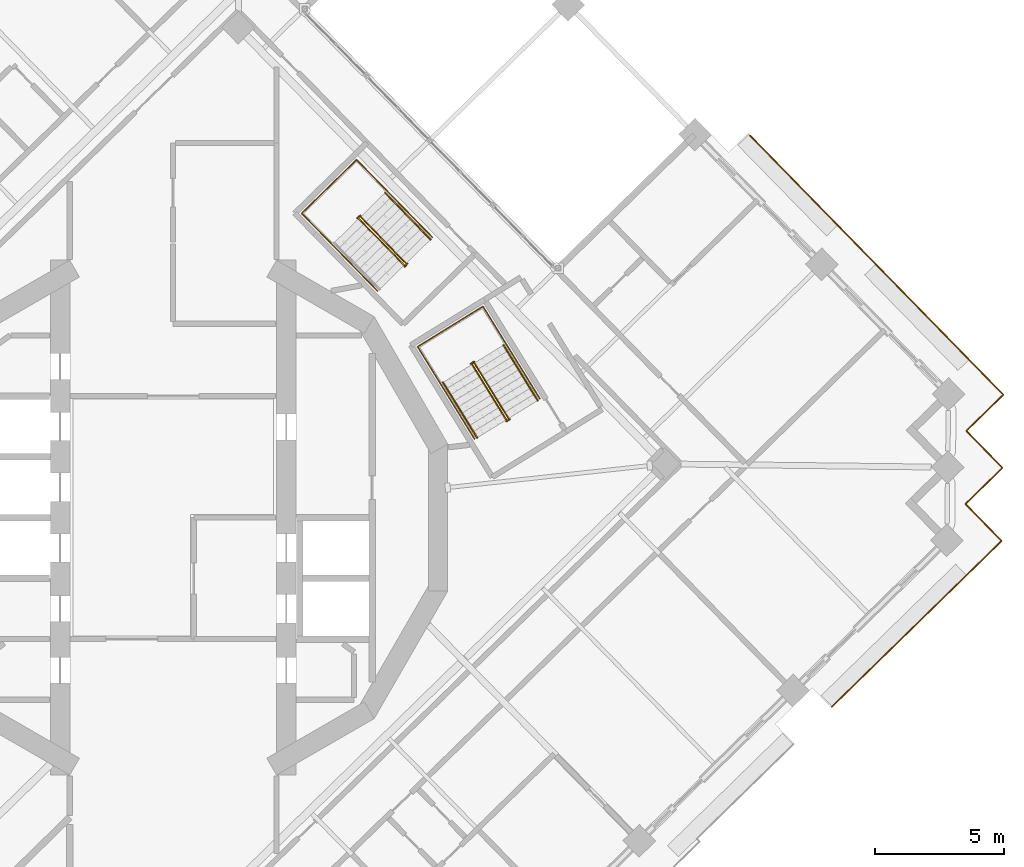
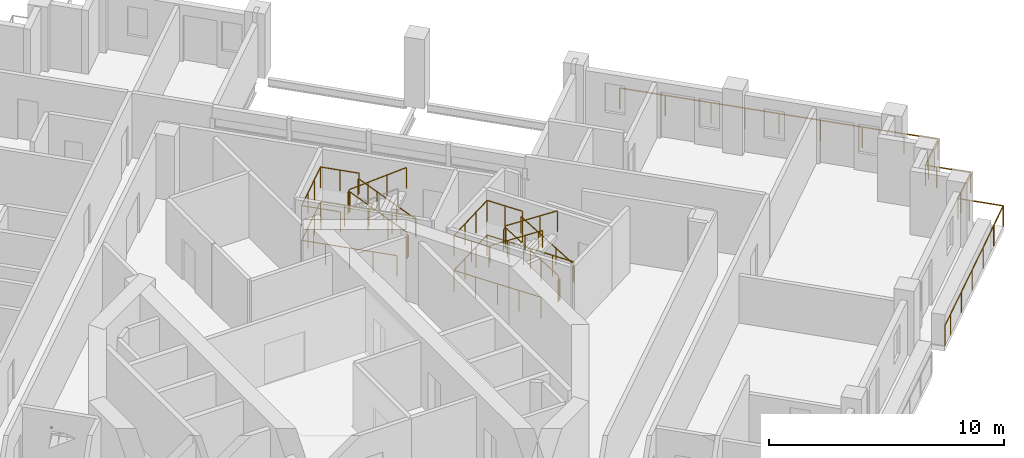
# One storey, part 18 of 20: 14 railings.
"""IFC4 building model written with IfcOpenShell, lengths in metres."""

from ifc_helpers import new_model, si_unit, direction, frame, origin, origin_2d, place, context, subcontext, project, spatial, circle, extrude, material, type_object, element, save


model = new_model("IFC4")

# Units and contexts
model_context = context("Model", 3, precision=1e-05, world=origin(), true_north=direction((0.0, 1.0)))
body_context = subcontext(model_context, "Body", "Model", "MODEL_VIEW")
ifc_project = project(units=[si_unit("LENGTHUNIT", "METRE"), si_unit("AREAUNIT", "SQUARE_METRE"), si_unit("VOLUMEUNIT", "CUBIC_METRE"), si_unit("PLANEANGLEUNIT", "RADIAN"), si_unit("MASSUNIT", "GRAM", prefix="KILO")], contexts=[model_context])

# Site, building, storey
site_placement = place(None, origin())
site = spatial("IfcSite", under=ifc_project, at=site_placement, CompositionType="ELEMENT")
building_placement = place(site_placement, origin())
building = spatial("IfcBuilding", under=site, at=building_placement, Name="Cantera Rosa Tower", CompositionType="ELEMENT")
storey_placement = place(building_placement, frame((0.0, 0.0, 212.60009765625)))
storey = spatial("IfcBuildingStorey", under=building, at=storey_placement, Name="L45", CompositionType="ELEMENT", Elevation=212.60009765625)

# Railings
ifc_material_1 = material(Name="Stainless steel and laminated glass", Category="steel")
railing_type_1 = type_object("IfcRailingType", Name="GUARD 1100", PredefinedType="BALUSTRADE", material=ifc_material_1)
railing_1_placement = place(storey_placement, frame((22.313232421875, 14.795654296875, 0.0)))
element("IfcRailing", 1, at=railing_1_placement, inside=storey, type_object=railing_type_1, Name="GUARD L45-12", PredefinedType="BALUSTRADE", context=body_context, shape_type="SweptSolid", body=[
    extrude(circle(Radius=0.030029296875, at=origin_2d()), frame((0.0, 0.0, 1.070068359375), z_axis=(0.698829866575, -0.715287926351, 0.0), x_axis=(0.715287926351, 0.698829866575, 0.0)), (0.0, 0.0, 1.0), 4.02001953125),
    extrude(circle(Radius=0.030029296875, at=origin_2d()), frame((2.809326171875, -2.87548828125, 1.070068359375), z_axis=(0.698839281014, -0.715278728407, 0.0), x_axis=(0.715278728407, 0.698839281014, 0.0)), (0.0, 0.0, 1.0), 3.0),
    extrude(circle(Radius=0.030029296875, at=origin_2d()), frame((4.90576171875, -5.021240234375, 1.070068359375), z_axis=(0.698810055914, -0.715307280652, 0.0), x_axis=(0.715307280652, 0.698810055914, 0.0)), (0.0, 0.0, 1.0), 5.52001953125),
    extrude(circle(Radius=0.030029296875, at=origin_2d()), frame((8.76318359375, -8.9697265625, 1.070068359375), z_axis=(0.698921594874, -0.71519829713, 0.0), x_axis=(0.71519829713, 0.698921594874, 0.0)), (0.0, 0.0, 1.0), 1.5),
    extrude(circle(Radius=0.030029296875, at=origin_2d()), frame((9.8115234375, -10.04248046875, 1.070068359375), z_axis=(-0.715277793538, -0.698840237873, 0.0), x_axis=(0.698840237873, -0.715277793538, 0.0)), (0.0, 0.0, 1.0), 1.5),
    extrude(circle(Radius=0.030029296875, at=origin_2d()), frame((8.738525390625, -11.0908203125, 1.070068359375), z_axis=(-0.715359149995, -0.698756958118, 0.0), x_axis=(0.698756958118, -0.715359149995, 0.0)), (0.0, 0.0, 1.0), 0.5),
    extrude(circle(Radius=0.030029296875, at=origin_2d()), frame((8.380859375, -11.440185546875, 1.070068359375), z_axis=(0.699006712162, -0.715115107065, 0.0), x_axis=(0.715115107065, 0.699006712162, 0.0)), (0.0, 0.0, 1.0), 0.500244140625),
    extrude(circle(Radius=0.030029296875, at=origin_2d()), frame((8.73046875, -11.7978515625, 1.070068359375), z_axis=(0.698756958118, -0.715359149995, 0.0), x_axis=(0.715359149995, 0.698756958118, 0.0)), (0.0, 0.0, 1.0), 1.5),
    extrude(circle(Radius=0.030029296875, at=origin_2d()), frame((9.778564453125, -12.870849609375, 1.070068359375), z_axis=(-0.71519829713, -0.698921594874, 0.0), x_axis=(0.698921594874, -0.71519829713, 0.0)), (0.0, 0.0, 1.0), 1.5),
    extrude(circle(Radius=0.030029296875, at=origin_2d()), frame((8.705810546875, -13.919189453125, 1.070068359375), z_axis=(-0.715359149995, -0.698756958118, 0.0), x_axis=(0.698756958118, -0.715359149995, 0.0)), (0.0, 0.0, 1.0), 0.5),
    extrude(circle(Radius=0.030029296875, at=origin_2d()), frame((8.34814453125, -14.2685546875, 1.070068359375), z_axis=(0.698756958118, -0.715359149995, 0.0), x_axis=(0.715359149995, 0.698756958118, 0.0)), (0.0, 0.0, 1.0), 0.5),
    extrude(circle(Radius=0.030029296875, at=origin_2d()), frame((8.697509765625, -14.626220703125, 1.070068359375), z_axis=(0.698838323933, -0.71527966349, 0.0), x_axis=(0.71527966349, 0.698838323933, 0.0)), (0.0, 0.0, 1.0), 1.499755859375),
    extrude(circle(Radius=0.030029296875, at=origin_2d()), frame((9.74560546875, -15.698974609375, 1.070068359375), z_axis=(-0.71519829713, -0.698921594874, 0.0), x_axis=(0.698921594874, -0.71519829713, 0.0)), (0.0, 0.0, 1.0), 1.5),
    extrude(circle(Radius=0.030029296875, at=origin_2d()), frame((8.6728515625, -16.747314453125, 1.070068359375), z_axis=(-0.715292116391, -0.698825577829, 0.0), x_axis=(0.698825577829, -0.715292116391, 0.0)), (0.0, 0.0, 1.0), 6.820068359375),
    extrude(circle(Radius=0.030029296875, at=origin_2d()), frame((3.79443359375, -21.513427734375, 1.070068359375), z_axis=(-0.715337030636, -0.698779602308, 0.0), x_axis=(0.698779602308, -0.715337030636, 0.0)), (0.0, 0.0, 1.0), 0.869873046875),
    extrude(circle(Radius=0.02490234375, at=origin_2d()), origin(), (0.0, 0.0, 1.0), 1.0400390625),
    extrude(circle(Radius=0.02490234375, at=origin_2d()), frame((1.40478515625, -1.437744140625, 0.0)), (0.0, 0.0, 1.0), 1.0400390625),
    extrude(circle(Radius=0.02490234375, at=origin_2d()), frame((2.809326171875, -2.87548828125, 0.0)), (0.0, 0.0, 1.0), 1.0400390625),
    extrude(circle(Radius=0.02490234375, at=origin_2d()), frame((3.857421875, -3.9482421875, 0.0)), (0.0, 0.0, 1.0), 1.0400390625),
    extrude(circle(Radius=0.02490234375, at=origin_2d()), frame((4.90576171875, -5.021240234375, 0.0)), (0.0, 0.0, 1.0), 1.0400390625),
    extrude(circle(Radius=0.02490234375, at=origin_2d()), frame((6.191650390625, -6.33740234375, 0.0)), (0.0, 0.0, 1.0), 1.0400390625),
    extrude(circle(Radius=0.02490234375, at=origin_2d()), frame((7.477294921875, -7.653564453125, 0.0)), (0.0, 0.0, 1.0), 1.0400390625),
    extrude(circle(Radius=0.02490234375, at=origin_2d()), frame((8.76318359375, -8.9697265625, 0.0)), (0.0, 0.0, 1.0), 1.0400390625),
    extrude(circle(Radius=0.02490234375, at=origin_2d()), frame((9.8115234375, -10.04248046875, 0.0)), (0.0, 0.0, 1.0), 1.0400390625),
    extrude(circle(Radius=0.02490234375, at=origin_2d()), frame((8.738525390625, -11.0908203125, 0.0)), (0.0, 0.0, 1.0), 1.0400390625),
    extrude(circle(Radius=0.02490234375, at=origin_2d()), frame((8.380859375, -11.440185546875, 0.0)), (0.0, 0.0, 1.0), 1.0400390625),
    extrude(circle(Radius=0.02490234375, at=origin_2d()), frame((8.73046875, -11.7978515625, 0.0)), (0.0, 0.0, 1.0), 1.0400390625),
    extrude(circle(Radius=0.02490234375, at=origin_2d()), frame((9.778564453125, -12.870849609375, 0.0)), (0.0, 0.0, 1.0), 1.0400390625),
    extrude(circle(Radius=0.02490234375, at=origin_2d()), frame((8.705810546875, -13.919189453125, 0.0)), (0.0, 0.0, 1.0), 1.0400390625),
    extrude(circle(Radius=0.02490234375, at=origin_2d()), frame((8.34814453125, -14.2685546875, 0.0)), (0.0, 0.0, 1.0), 1.0400390625),
    extrude(circle(Radius=0.02490234375, at=origin_2d()), frame((8.697509765625, -14.626220703125, 0.0)), (0.0, 0.0, 1.0), 1.0400390625),
    extrude(circle(Radius=0.02490234375, at=origin_2d()), frame((9.74560546875, -15.698974609375, 0.0)), (0.0, 0.0, 1.0), 1.0400390625),
    extrude(circle(Radius=0.02490234375, at=origin_2d()), frame((8.6728515625, -16.747314453125, 0.0)), (0.0, 0.0, 1.0), 1.0400390625),
    extrude(circle(Radius=0.02490234375, at=origin_2d()), frame((7.453125, -17.93896484375, 0.0)), (0.0, 0.0, 1.0), 1.0400390625),
    extrude(circle(Radius=0.02490234375, at=origin_2d()), frame((6.233642578125, -19.13037109375, 0.0)), (0.0, 0.0, 1.0), 1.0400390625),
    extrude(circle(Radius=0.02490234375, at=origin_2d()), frame((5.01416015625, -20.32177734375, 0.0)), (0.0, 0.0, 1.0), 1.0400390625),
    extrude(circle(Radius=0.02490234375, at=origin_2d()), frame((3.79443359375, -21.513427734375, 0.0)), (0.0, 0.0, 1.0), 1.0400390625),
    extrude(circle(Radius=0.02490234375, at=origin_2d()), frame((3.172119140625, -22.121337890625, 0.0)), (0.0, 0.0, 1.0), 1.0400390625),
])
ifc_material_2 = material(Name="Steel S355J2 (EN 10025-2)", Category="steel")
railing_type_2 = type_object("IfcRailingType", Name="STAIR GUARD 1100", PredefinedType="GUARDRAIL", material=ifc_material_2)
railing_2_placement = place(storey_placement, frame((12.9765625, 3.834228515625, 0.179931640625)))
element("IfcRailing", 2, at=railing_2_placement, inside=storey, type_object=railing_type_2, Name="L45 ST-41 stair guard 1", PredefinedType="GUARDRAIL", context=body_context, shape_type="SweptSolid", body=[
    extrude(circle(Radius=0.02392578125, at=origin_2d()), frame((0.0, 0.0, 1.076171875), z_axis=(-0.441562923896, 0.715970890813, 0.540747508315), x_axis=(-0.851145618652, -0.524929648476, 0.0)), (0.0, 0.0, 1.0), 2.99560546875),
    extrude(circle(Radius=0.02392578125, at=origin_2d()), frame((-1.32275390625, 2.144775390625, 2.69580078125), z_axis=(-0.073711968402, 0.997279572494, 0.0), x_axis=(-0.997279572494, -0.073711968402, 0.0)), (0.0, 0.0, 1.0), 0.056396484375),
    extrude(circle(Radius=0.02392578125, at=origin_2d()), frame((-1.326904296875, 2.200927734375, 2.69580078125), z_axis=(-0.851546489876, -0.524279100842, 0.0), x_axis=(0.524279100842, -0.851546489876, 0.0)), (0.0, 0.0, 1.0), 0.14990234375),
    extrude(circle(Radius=0.02099609375, at=origin_2d()), origin(), (0.0, 0.0, 1.0), 1.052001953125),
    extrude(circle(Radius=0.02099609375, at=origin_2d()), frame((-0.44091796875, 0.71484375, 0.5400390625)), (0.0, 0.0, 1.0), 1.052001953125),
    extrude(circle(Radius=0.02099609375, at=origin_2d()), frame((-0.8818359375, 1.429931640625, 1.079833984375)), (0.0, 0.0, 1.0), 1.052001953125),
    extrude(circle(Radius=0.02099609375, at=origin_2d()), frame((-1.32275390625, 2.144775390625, 1.619873046875)), (0.0, 0.0, 1.0), 1.052001953125),
    extrude(circle(Radius=0.02099609375, at=origin_2d()), frame((-1.326904296875, 2.200927734375, 1.619873046875)), (0.0, 0.0, 1.0), 1.052001953125),
    extrude(circle(Radius=0.02099609375, at=origin_2d()), frame((-1.45458984375, 2.122314453125, 1.619873046875)), (0.0, 0.0, 1.0), 1.052001953125),
])
railing_3_placement = place(storey_placement, frame((11.5703125, 5.927490234375, 1.97998046875)))
element("IfcRailing", 3, at=railing_3_placement, inside=storey, type_object=railing_type_2, Name="L45 ST-41 stair guard 2", PredefinedType="GUARDRAIL", context=body_context, shape_type="SweptSolid", body=[
    extrude(circle(Radius=0.02392578125, at=origin_2d()), frame((0.0, 0.0, 1.076171875), z_axis=(0.441628529057, -0.715945124149, 0.540728047664), x_axis=(0.851102330005, 0.524999832248, 0.0)), (0.0, 0.0, 1.0), 2.99560546875),
    extrude(circle(Radius=0.02099609375, at=origin_2d()), origin(), (0.0, 0.0, 1.0), 1.052001953125),
    extrude(circle(Radius=0.02099609375, at=origin_2d()), frame((0.44091796875, -0.71484375, 0.5400390625)), (0.0, 0.0, 1.0), 1.052001953125),
    extrude(circle(Radius=0.02099609375, at=origin_2d()), frame((0.882080078125, -1.429931640625, 1.079833984375)), (0.0, 0.0, 1.0), 1.052001953125),
    extrude(circle(Radius=0.02099609375, at=origin_2d()), frame((1.322998046875, -2.144775390625, 1.619873046875)), (0.0, 0.0, 1.0), 1.052001953125),
])
railing_4_placement = place(storey_placement, frame((13.025146484375, 3.80517578125, 0.0)))
element("IfcRailing", 4, at=railing_4_placement, inside=storey, type_object=railing_type_2, Name="L45 ST-41 stair guard 3", PredefinedType="GUARDRAIL", context=body_context, shape_type="SweptSolid", body=[
    extrude(circle(Radius=0.02392578125, at=origin_2d()), frame((0.0, 0.0, 1.076171875), z_axis=(-0.851546489876, -0.524279100842, 0.0), x_axis=(0.524279100842, -0.851546489876, 0.0)), (0.0, 0.0, 1.0), 0.14990234375),
    extrude(circle(Radius=0.02099609375, at=origin_2d()), origin(), (0.0, 0.0, 1.0), 1.052001953125),
    extrude(circle(Radius=0.02099609375, at=origin_2d()), frame((-0.127685546875, -0.07861328125, 0.0)), (0.0, 0.0, 1.0), 1.052001953125),
])
railing_5_placement = place(storey_placement, frame((14.192626953125, 4.59814453125, 0.0)))
element("IfcRailing", 5, at=railing_5_placement, inside=storey, type_object=railing_type_2, Name="L45 ST-41 stair guard 4", PredefinedType="GUARDRAIL", context=body_context, shape_type="SweptSolid", body=[
    extrude(circle(Radius=0.02392578125, at=origin_2d()), frame((0.0, 0.0, 1.076171875), z_axis=(-0.524976478809, 0.851116735059, 0.0), x_axis=(-0.851116735059, -0.524976478809, 0.0)), (0.0, 0.0, 1.0), 4.197998046875),
    extrude(circle(Radius=0.02392578125, at=origin_2d()), frame((-2.203857421875, 3.572998046875, 1.076171875), z_axis=(-0.851132917336, -0.524950242429, 0.0), x_axis=(0.524950242429, -0.851132917336, 0.0)), (0.0, 0.0, 1.0), 2.969970703125),
    extrude(circle(Radius=0.02392578125, at=origin_2d()), frame((-4.731689453125, 2.013916015625, 1.076171875), z_axis=(0.524976478809, -0.851116735059, 0.0), x_axis=(0.851116735059, 0.524976478809, 0.0)), (0.0, 0.0, 1.0), 4.197998046875),
    extrude(circle(Radius=0.02099609375, at=origin_2d()), origin(), (0.0, 0.0, 1.0), 1.052001953125),
    extrude(circle(Radius=0.02099609375, at=origin_2d()), frame((-0.551025390625, 0.893310546875, 0.0)), (0.0, 0.0, 1.0), 1.052001953125),
    extrude(circle(Radius=0.02099609375, at=origin_2d()), frame((-1.10205078125, 1.78662109375, 0.0)), (0.0, 0.0, 1.0), 1.052001953125),
    extrude(circle(Radius=0.02099609375, at=origin_2d()), frame((-1.65283203125, 2.6796875, 0.0)), (0.0, 0.0, 1.0), 1.052001953125),
    extrude(circle(Radius=0.02099609375, at=origin_2d()), frame((-2.203857421875, 3.572998046875, 0.0)), (0.0, 0.0, 1.0), 1.052001953125),
    extrude(circle(Radius=0.02099609375, at=origin_2d()), frame((-3.04638671875, 3.05322265625, 0.0)), (0.0, 0.0, 1.0), 1.052001953125),
    extrude(circle(Radius=0.02099609375, at=origin_2d()), frame((-3.88916015625, 2.53369140625, 0.0)), (0.0, 0.0, 1.0), 1.052001953125),
    extrude(circle(Radius=0.02099609375, at=origin_2d()), frame((-4.731689453125, 2.013916015625, 0.0)), (0.0, 0.0, 1.0), 1.052001953125),
    extrude(circle(Radius=0.02099609375, at=origin_2d()), frame((-4.1806640625, 1.12060546875, 0.0)), (0.0, 0.0, 1.0), 1.052001953125),
    extrude(circle(Radius=0.02099609375, at=origin_2d()), frame((-3.6298828125, 0.2275390625, 0.0)), (0.0, 0.0, 1.0), 1.052001953125),
    extrude(circle(Radius=0.02099609375, at=origin_2d()), frame((-3.078857421875, -0.665771484375, 0.0)), (0.0, 0.0, 1.0), 1.052001953125),
    extrude(circle(Radius=0.02099609375, at=origin_2d()), frame((-2.52783203125, -1.55908203125, 0.0)), (0.0, 0.0, 1.0), 1.052001953125),
])
railing_6_placement = place(storey_placement, frame((12.88232421875, 6.72265625, 1.7998046875)))
element("IfcRailing", 6, at=railing_6_placement, inside=storey, type_object=railing_type_2, Name="L45 ST-41 stair guard 5", PredefinedType="GUARDRAIL", context=body_context, shape_type="SweptSolid", body=[
    extrude(circle(Radius=0.02392578125, at=origin_2d()), frame((0.0, 0.0, 1.076171875), z_axis=(-0.525025534833, 0.851086474909, 0.0), x_axis=(-0.851086474909, -0.525025534833, 0.0)), (0.0, 0.0, 1.0), 1.701904296875),
    extrude(circle(Radius=0.02392578125, at=origin_2d()), frame((-0.8935546875, 1.448486328125, 1.076171875), z_axis=(-0.851132917336, -0.524950242429, 0.0), x_axis=(0.524950242429, -0.851132917336, 0.0)), (0.0, 0.0, 1.0), 2.969970703125),
    extrude(circle(Radius=0.02392578125, at=origin_2d()), frame((-3.42138671875, -0.110595703125, 1.076171875), z_axis=(0.524961441845, -0.851126009811, 0.0), x_axis=(0.851126009811, 0.524961441845, 0.0)), (0.0, 0.0, 1.0), 1.7021484375),
    extrude(circle(Radius=0.02099609375, at=origin_2d()), origin(), (0.0, 0.0, 1.0), 1.052001953125),
    extrude(circle(Radius=0.02099609375, at=origin_2d()), frame((-0.44677734375, 0.72412109375, 0.0)), (0.0, 0.0, 1.0), 1.052001953125),
    extrude(circle(Radius=0.02099609375, at=origin_2d()), frame((-0.8935546875, 1.448486328125, 0.0)), (0.0, 0.0, 1.0), 1.052001953125),
    extrude(circle(Radius=0.02099609375, at=origin_2d()), frame((-1.736083984375, 0.9287109375, 0.0)), (0.0, 0.0, 1.0), 1.052001953125),
    extrude(circle(Radius=0.02099609375, at=origin_2d()), frame((-2.578857421875, 0.4091796875, 0.0)), (0.0, 0.0, 1.0), 1.052001953125),
    extrude(circle(Radius=0.02099609375, at=origin_2d()), frame((-3.42138671875, -0.110595703125, 0.0)), (0.0, 0.0, 1.0), 1.052001953125),
    extrude(circle(Radius=0.02099609375, at=origin_2d()), frame((-2.974609375, -0.8349609375, 0.0)), (0.0, 0.0, 1.0), 1.052001953125),
    extrude(circle(Radius=0.02099609375, at=origin_2d()), frame((-2.52783203125, -1.559326171875, 0.0)), (0.0, 0.0, 1.0), 1.052001953125),
])
railing_7_placement = place(storey_placement, frame((9.013427734375, 9.832763671875, 0.179931640625)))
element("IfcRailing", 7, at=railing_7_placement, inside=storey, type_object=railing_type_2, Name="L45 ST-42 stair guard 1", PredefinedType="GUARDRAIL", context=body_context, shape_type="SweptSolid", body=[
    extrude(circle(Radius=0.02392578125, at=origin_2d()), frame((0.0, 0.0, 1.076171875), z_axis=(-0.587844099419, 0.60169873645, 0.540738333515), x_axis=(-0.715293958342, -0.698823692472, 0.0)), (0.0, 0.0, 1.0), 2.99560546875),
    extrude(circle(Radius=0.02392578125, at=origin_2d()), frame((-1.760986328125, 1.802490234375, 2.69580078125), z_axis=(-0.290127576896, 0.956987977523, 0.0), x_axis=(-0.956987977523, -0.290127576896, 0.0)), (0.0, 0.0, 1.0), 0.056396484375),
    extrude(circle(Radius=0.02392578125, at=origin_2d()), frame((-1.77734375, 1.8564453125, 2.69580078125), z_axis=(-0.71600013962, -0.69810013613, 0.0), x_axis=(0.69810013613, -0.71600013962, 0.0)), (0.0, 0.0, 1.0), 0.150146484375),
    extrude(circle(Radius=0.02099609375, at=origin_2d()), origin(), (0.0, 0.0, 1.0), 1.052001953125),
    extrude(circle(Radius=0.02099609375, at=origin_2d()), frame((-0.5869140625, 0.600830078125, 0.5400390625)), (0.0, 0.0, 1.0), 1.052001953125),
    extrude(circle(Radius=0.02099609375, at=origin_2d()), frame((-1.174072265625, 1.20166015625, 1.079833984375)), (0.0, 0.0, 1.0), 1.052001953125),
    extrude(circle(Radius=0.02099609375, at=origin_2d()), frame((-1.760986328125, 1.802490234375, 1.619873046875)), (0.0, 0.0, 1.0), 1.052001953125),
    extrude(circle(Radius=0.02099609375, at=origin_2d()), frame((-1.77734375, 1.8564453125, 1.619873046875)), (0.0, 0.0, 1.0), 1.052001953125),
    extrude(circle(Radius=0.02099609375, at=origin_2d()), frame((-1.884765625, 1.751708984375, 1.619873046875)), (0.0, 0.0, 1.0), 1.052001953125),
])
railing_8_placement = place(storey_placement, frame((7.182373046875, 11.56689453125, 1.97998046875)))
element("IfcRailing", 8, at=railing_8_placement, inside=storey, type_object=railing_type_2, Name="L45 ST-42 stair guard 2", PredefinedType="GUARDRAIL", context=body_context, shape_type="SweptSolid", body=[
    extrude(circle(Radius=0.02392578125, at=origin_2d()), frame((0.0, 0.0, 1.076171875), z_axis=(0.587844099419, -0.60169873645, 0.540738333515), x_axis=(0.715293958342, 0.698823692472, 0.0)), (0.0, 0.0, 1.0), 2.99560546875),
    extrude(circle(Radius=0.02099609375, at=origin_2d()), origin(), (0.0, 0.0, 1.0), 1.052001953125),
    extrude(circle(Radius=0.02099609375, at=origin_2d()), frame((0.5869140625, -0.600830078125, 0.5400390625)), (0.0, 0.0, 1.0), 1.052001953125),
    extrude(circle(Radius=0.02099609375, at=origin_2d()), frame((1.174072265625, -1.20166015625, 1.079833984375)), (0.0, 0.0, 1.0), 1.052001953125),
    extrude(circle(Radius=0.02099609375, at=origin_2d()), frame((1.760986328125, -1.802490234375, 1.619873046875)), (0.0, 0.0, 1.0), 1.052001953125),
])
railing_9_placement = place(storey_placement, frame((9.06689453125, 9.815185546875, 0.0)))
element("IfcRailing", 9, at=railing_9_placement, inside=storey, type_object=railing_type_2, Name="L45 ST-42 stair guard 3", PredefinedType="GUARDRAIL", context=body_context, shape_type="SweptSolid", body=[
    extrude(circle(Radius=0.02392578125, at=origin_2d()), frame((0.0, 0.0, 1.076171875), z_axis=(-0.715205710557, -0.698914008722, 0.0), x_axis=(0.698914008722, -0.715205710557, 0.0)), (0.0, 0.0, 1.0), 0.14990234375),
    extrude(circle(Radius=0.02099609375, at=origin_2d()), origin(), (0.0, 0.0, 1.0), 1.052001953125),
    extrude(circle(Radius=0.02099609375, at=origin_2d()), frame((-0.107177734375, -0.104736328125, 0.0)), (0.0, 0.0, 1.0), 1.052001953125),
])
railing_10_placement = place(storey_placement, frame((10.0322265625, 10.844970703125, 0.0)))
element("IfcRailing", 10, at=railing_10_placement, inside=storey, type_object=railing_type_2, Name="L45 ST-42 stair guard 4", PredefinedType="GUARDRAIL", context=body_context, shape_type="SweptSolid", body=[
    extrude(circle(Radius=0.02392578125, at=origin_2d()), frame((0.0, 0.0, 1.076171875), z_axis=(-0.698859254364, 0.715259213566, 0.0), x_axis=(-0.715259213566, -0.698859254364, 0.0)), (0.0, 0.0, 1.0), 4.197998046875),
    extrude(circle(Radius=0.02392578125, at=origin_2d()), frame((-2.933837890625, 3.002685546875, 1.076171875), z_axis=(-0.715279654138, -0.698838333505, 0.0), x_axis=(0.698838333505, -0.715279654138, 0.0)), (0.0, 0.0, 1.0), 2.9697265625),
    extrude(circle(Radius=0.02392578125, at=origin_2d()), frame((-5.05810546875, 0.92724609375, 1.076171875), z_axis=(0.698829500247, -0.715288284249, 0.0), x_axis=(0.715288284249, 0.698829500247, 0.0)), (0.0, 0.0, 1.0), 4.19775390625),
    extrude(circle(Radius=0.02099609375, at=origin_2d()), origin(), (0.0, 0.0, 1.0), 1.052001953125),
    extrude(circle(Radius=0.02099609375, at=origin_2d()), frame((-0.7333984375, 0.750732421875, 0.0)), (0.0, 0.0, 1.0), 1.052001953125),
    extrude(circle(Radius=0.02099609375, at=origin_2d()), frame((-1.466796875, 1.50146484375, 0.0)), (0.0, 0.0, 1.0), 1.052001953125),
    extrude(circle(Radius=0.02099609375, at=origin_2d()), frame((-2.200439453125, 2.251953125, 0.0)), (0.0, 0.0, 1.0), 1.052001953125),
    extrude(circle(Radius=0.02099609375, at=origin_2d()), frame((-2.933837890625, 3.002685546875, 0.0)), (0.0, 0.0, 1.0), 1.052001953125),
    extrude(circle(Radius=0.02099609375, at=origin_2d()), frame((-3.641845703125, 2.310791015625, 0.0)), (0.0, 0.0, 1.0), 1.052001953125),
    extrude(circle(Radius=0.02099609375, at=origin_2d()), frame((-4.35009765625, 1.619140625, 0.0)), (0.0, 0.0, 1.0), 1.052001953125),
    extrude(circle(Radius=0.02099609375, at=origin_2d()), frame((-5.05810546875, 0.92724609375, 0.0)), (0.0, 0.0, 1.0), 1.052001953125),
    extrude(circle(Radius=0.02099609375, at=origin_2d()), frame((-4.32470703125, 0.176513671875, 0.0)), (0.0, 0.0, 1.0), 1.052001953125),
    extrude(circle(Radius=0.02099609375, at=origin_2d()), frame((-3.59130859375, -0.57421875, 0.0)), (0.0, 0.0, 1.0), 1.052001953125),
    extrude(circle(Radius=0.02099609375, at=origin_2d()), frame((-2.85791015625, -1.32470703125, 0.0)), (0.0, 0.0, 1.0), 1.052001953125),
    extrude(circle(Radius=0.02099609375, at=origin_2d()), frame((-2.12451171875, -2.075439453125, 0.0)), (0.0, 0.0, 1.0), 1.052001953125),
])
railing_11_placement = place(storey_placement, frame((8.287841796875, 12.63037109375, 1.7998046875)))
element("IfcRailing", 11, at=railing_11_placement, inside=storey, type_object=railing_type_2, Name="L45 ST-42 stair guard 5", PredefinedType="GUARDRAIL", context=body_context, shape_type="SweptSolid", body=[
    extrude(circle(Radius=0.02392578125, at=origin_2d()), frame((0.0, 0.0, 1.076171875), z_axis=(-0.698882919007, 0.715236090757, 0.0), x_axis=(-0.715236090757, -0.698882919007, 0.0)), (0.0, 0.0, 1.0), 1.701904296875),
    extrude(circle(Radius=0.02392578125, at=origin_2d()), frame((-1.189453125, 1.21728515625, 1.076171875), z_axis=(-0.715279654138, -0.698838333505, 0.0), x_axis=(0.698838333505, -0.715279654138, 0.0)), (0.0, 0.0, 1.0), 2.9697265625),
    extrude(circle(Radius=0.02392578125, at=origin_2d()), frame((-3.313720703125, -0.858154296875, 1.076171875), z_axis=(0.698811217595, -0.715306145761, 0.0), x_axis=(0.715306145761, 0.698811217595, 0.0)), (0.0, 0.0, 1.0), 1.7021484375),
    extrude(circle(Radius=0.02099609375, at=origin_2d()), origin(), (0.0, 0.0, 1.0), 1.052001953125),
    extrude(circle(Radius=0.02099609375, at=origin_2d()), frame((-0.5947265625, 0.608642578125, 0.0)), (0.0, 0.0, 1.0), 1.052001953125),
    extrude(circle(Radius=0.02099609375, at=origin_2d()), frame((-1.189453125, 1.21728515625, 0.0)), (0.0, 0.0, 1.0), 1.052001953125),
    extrude(circle(Radius=0.02099609375, at=origin_2d()), frame((-1.8974609375, 0.525390625, 0.0)), (0.0, 0.0, 1.0), 1.052001953125),
    extrude(circle(Radius=0.02099609375, at=origin_2d()), frame((-2.605712890625, -0.166259765625, 0.0)), (0.0, 0.0, 1.0), 1.052001953125),
    extrude(circle(Radius=0.02099609375, at=origin_2d()), frame((-3.313720703125, -0.858154296875, 0.0)), (0.0, 0.0, 1.0), 1.052001953125),
    extrude(circle(Radius=0.02099609375, at=origin_2d()), frame((-2.718994140625, -1.466796875, 0.0)), (0.0, 0.0, 1.0), 1.052001953125),
    extrude(circle(Radius=0.02099609375, at=origin_2d()), frame((-2.124267578125, -2.07568359375, 0.0)), (0.0, 0.0, 1.0), 1.052001953125),
])
ifc_material_3 = material(Name="Steel S355J2 (EN 10025-2)", Category="steel")
railing_type_3 = type_object("IfcRailingType", Name="STAIR HANDRAIL 900", PredefinedType="HANDRAIL", material=ifc_material_3)
railing_12_placement = place(storey_placement, frame((14.105224609375, 4.5302734375, 0.179931640625)))
element("IfcRailing", 12, at=railing_12_placement, inside=storey, type_object=railing_type_3, Name="L45 ST-41 stair handrail 1", PredefinedType="HANDRAIL", context=body_context, shape_type="SweptSolid", body=[
    extrude(circle(Radius=0.02392578125, at=origin_2d()), frame((0.0, 0.0, 0.8759765625), z_axis=(-0.441628529057, 0.715945124149, 0.540728047664), x_axis=(-0.851102330005, -0.524999832248, 0.0)), (0.0, 0.0, 1.0), 2.99560546875),
    extrude(circle(Radius=0.02099609375, at=origin_2d()), origin(), (0.0, 0.0, 1.0), 0.851806640625),
    extrude(circle(Radius=0.02099609375, at=origin_2d()), frame((-0.44091796875, 0.71484375, 0.5400390625)), (0.0, 0.0, 1.0), 0.851806640625),
    extrude(circle(Radius=0.02099609375, at=origin_2d()), frame((-0.882080078125, 1.429931640625, 1.079833984375)), (0.0, 0.0, 1.0), 0.851806640625),
    extrude(circle(Radius=0.02099609375, at=origin_2d()), frame((-1.322998046875, 2.144775390625, 1.619873046875)), (0.0, 0.0, 1.0), 0.851806640625),
])
railing_13_placement = place(storey_placement, frame((10.441650390625, 5.2314453125, 1.97998046875)))
element("IfcRailing", 13, at=railing_13_placement, inside=storey, type_object=railing_type_3, Name="L45 ST-41 stair handrail 2", PredefinedType="HANDRAIL", context=body_context, shape_type="SweptSolid", body=[
    extrude(circle(Radius=0.02392578125, at=origin_2d()), frame((0.0, 0.0, 0.8759765625), z_axis=(0.441628529057, -0.715945124149, 0.540728047664), x_axis=(0.851102330005, 0.524999832248, 0.0)), (0.0, 0.0, 1.0), 2.99560546875),
    extrude(circle(Radius=0.02099609375, at=origin_2d()), origin(), (0.0, 0.0, 1.0), 0.851806640625),
    extrude(circle(Radius=0.02099609375, at=origin_2d()), frame((0.44091796875, -0.71484375, 0.5400390625)), (0.0, 0.0, 1.0), 0.851806640625),
    extrude(circle(Radius=0.02099609375, at=origin_2d()), frame((0.882080078125, -1.429931640625, 1.079833984375)), (0.0, 0.0, 1.0), 0.851806640625),
    extrude(circle(Radius=0.02099609375, at=origin_2d()), frame((1.322998046875, -2.144775390625, 1.619873046875)), (0.0, 0.0, 1.0), 0.851806640625),
])
railing_14_placement = place(storey_placement, frame((9.9619140625, 10.759521484375, 0.179931640625)))
element("IfcRailing", 14, at=railing_14_placement, inside=storey, type_object=railing_type_3, Name="L45 ST-42 stair handrail 1", PredefinedType="HANDRAIL", context=body_context, shape_type="SweptSolid", body=[
    extrude(circle(Radius=0.02392578125, at=origin_2d()), frame((0.0, 0.0, 0.8759765625), z_axis=(-0.587844099419, 0.60169873645, 0.540738333515), x_axis=(-0.715293958342, -0.698823692472, 0.0)), (0.0, 0.0, 1.0), 2.99560546875),
    extrude(circle(Radius=0.02099609375, at=origin_2d()), origin(), (0.0, 0.0, 1.0), 0.851806640625),
    extrude(circle(Radius=0.02099609375, at=origin_2d()), frame((-0.5869140625, 0.600830078125, 0.5400390625)), (0.0, 0.0, 1.0), 0.851806640625),
    extrude(circle(Radius=0.02099609375, at=origin_2d()), frame((-1.174072265625, 1.20166015625, 1.079833984375)), (0.0, 0.0, 1.0), 0.851806640625),
    extrude(circle(Radius=0.02099609375, at=origin_2d()), frame((-1.760986328125, 1.802490234375, 1.619873046875)), (0.0, 0.0, 1.0), 0.851806640625),
])

save(model, "model.ifc")
